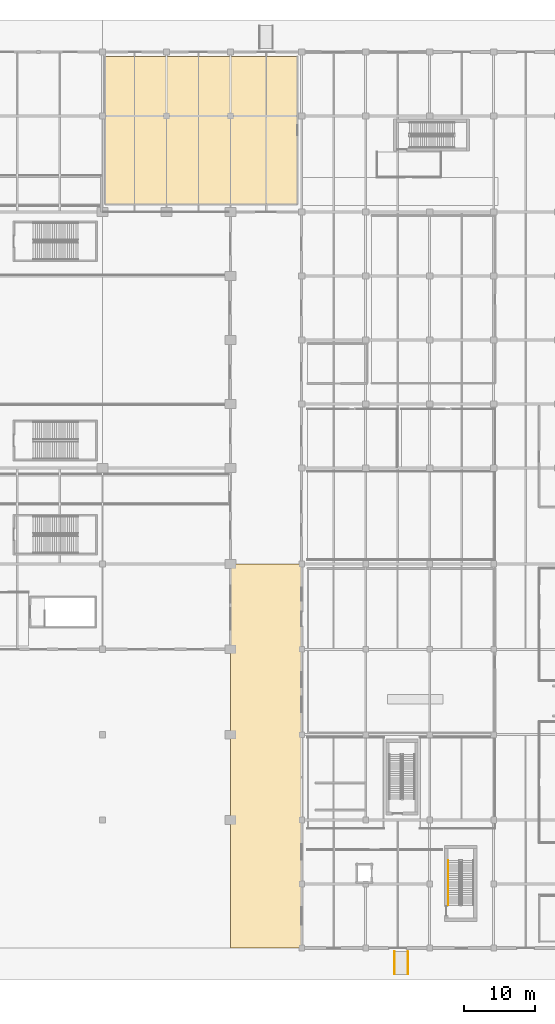
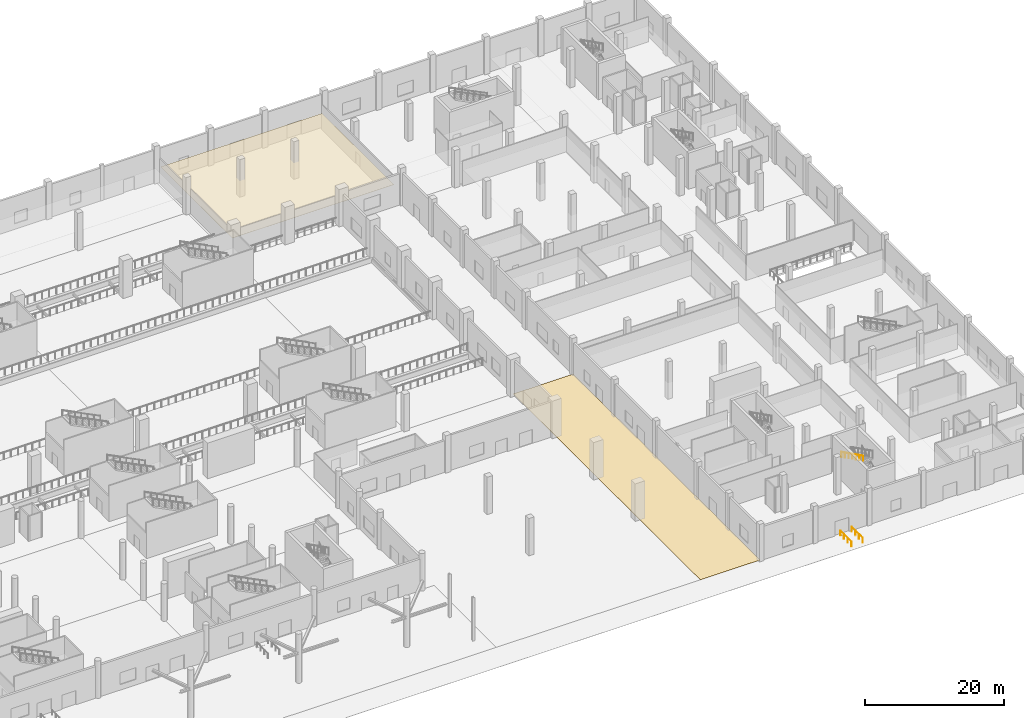
# One storey, part 56 of 65: 3 railings, 2 coverings.
"""IFC4 building model written with IfcOpenShell, lengths in metres."""

import ifcopenshell
import ifcopenshell.guid

model = None  # the IFC model being written
_history = None  # IfcOwnerHistory: only IFC2X3 demands one
_inside = {}  # id of a spatial element -> (the spatial element, [elements in it])
_under = {}  # id of a project, library or spatial element -> (it, [spatial elements below it])
_declared = {}  # id of a project -> (the project, [libraries it declares])
_typed = {}  # id of a type object -> (the type object, [elements of that type])
_made_of = {}  # id of a material, layer set ... -> (it, [elements and type objects made of it])


def new_model(schema):
    """Start an empty IFC model of exactly this schema.

    Asked for "IFC4X3", IfcOpenShell would pick the latest addendum, in which some entities
    have other attributes; the version numbers below select the first issue.
    IFC2X3 requires an IfcOwnerHistory on every rooted entity: one is made here for all.
    """
    global model, _history
    if schema == "IFC4X3":
        model = ifcopenshell.file(schema_version=(4, 3, 0, 0))
    else:
        model = ifcopenshell.file(schema=schema)
    _inside.clear()
    _under.clear()
    _declared.clear()
    _typed.clear()
    _made_of.clear()
    _history = None
    if model.schema == "IFC2X3":
        org = make("IfcOrganization", Name="unknown")
        user = make(
            "IfcPersonAndOrganization",
            ThePerson=make("IfcPerson", FamilyName="unknown"),
            TheOrganization=org,
        )
        app = make(
            "IfcApplication",
            ApplicationDeveloper=org,
            Version="unknown",
            ApplicationFullName="unknown",
            ApplicationIdentifier="unknown",
        )
        _history = make(
            "IfcOwnerHistory",
            OwningUser=user,
            OwningApplication=app,
            ChangeAction="ADDED",
            CreationDate=0,
        )
    return model


def make(cls, **values):
    """One entity of the class cls with the attributes given. An attribute that is None is left unset."""
    return model.create_entity(
        cls, **{name: value for name, value in values.items() if value is not None}
    )


def rooted(cls, **values):
    """An entity with a GlobalId (a new one), such as an element, a storey or a relation."""
    return make(cls, GlobalId=ifcopenshell.guid.new(), OwnerHistory=_history, **values)


def si_unit(unit_type, name, prefix=None):
    """IfcSIUnit, for example si_unit("LENGTHUNIT", "METRE", prefix="MILLI")."""
    return make("IfcSIUnit", UnitType=unit_type, Prefix=prefix, Name=name)


def assignment(units):
    """IfcUnitAssignment: the units of a project."""
    return None if units is None else make("IfcUnitAssignment", Units=units)


def point(xyz):
    """IfcCartesianPoint."""
    return None if xyz is None else make("IfcCartesianPoint", Coordinates=xyz)


def direction(xyz):
    """IfcDirection."""
    return None if xyz is None else make("IfcDirection", DirectionRatios=xyz)


def frame(location, z_axis=None, x_axis=None):
    """IfcAxis2Placement3D, a coordinate frame: its origin and axes. An axis left out is left unset."""
    return make(
        "IfcAxis2Placement3D",
        Location=point(location),
        Axis=direction(z_axis),
        RefDirection=direction(x_axis),
    )


def frame_2d(location, x_axis=None):
    """IfcAxis2Placement2D, a coordinate frame in the plane: its origin and x axis."""
    return make(
        "IfcAxis2Placement2D", Location=point(location), RefDirection=direction(x_axis)
    )


def origin():
    """The frame at (0, 0, 0) with its axes left unset."""
    return frame((0.0, 0.0, 0.0))


def origin_2d():
    """The frame at (0, 0) in the plane with its x axis left unset."""
    return frame_2d((0.0, 0.0))


def place(relative_to, where):
    """IfcLocalPlacement: puts the frame where relative to a parent placement (None: the world)."""
    return make(
        "IfcLocalPlacement", PlacementRelTo=relative_to, RelativePlacement=where
    )


def context(
    kind, dimensions, precision=None, world=None, true_north=None, identifier=None
):
    """IfcGeometricRepresentationContext, for example the 3D "Model" context."""
    return make(
        "IfcGeometricRepresentationContext",
        ContextIdentifier=identifier,
        ContextType=kind,
        CoordinateSpaceDimension=dimensions,
        Precision=precision,
        WorldCoordinateSystem=world,
        TrueNorth=true_north,
    )


def subcontext(parent, identifier, kind, view, scale=None):
    """IfcGeometricRepresentationSubContext, for example "Body" below "Model"."""
    return make(
        "IfcGeometricRepresentationSubContext",
        ContextIdentifier=identifier,
        ContextType=kind,
        ParentContext=parent,
        TargetScale=scale,
        TargetView=view,
    )


def project(units=None, contexts=None):
    """IfcProject with its units and contexts."""
    return rooted(
        "IfcProject",
        Name="project",
        RepresentationContexts=contexts,
        UnitsInContext=assignment(units),
    )


def spatial(cls, under=None, at=None, **own):
    """A site, building, storey or space (cls), placed at a placement, below another one or the project."""
    s = rooted(cls, ObjectPlacement=at, **own)
    if under is not None:
        _under.setdefault(under.id(), (under, []))[1].append(s)
    return s


def polyline(points):
    """IfcPolyline through the points."""
    return make("IfcPolyline", Points=[point(p) for p in points])


def profile(cls, at=None, kind="AREA", **sizes):
    """A parametric profile (cls). Its sizes go by their IFC names, for example OverallWidth=200.0."""
    return make(cls, ProfileType=kind, Position=at, **sizes)


def circle(**sizes):
    """IfcCircleProfileDef."""
    return profile("IfcCircleProfileDef", **sizes)


def outline(outer, holes=None, kind="AREA"):
    """IfcArbitraryClosedProfileDef: a profile drawn as a closed curve; with holes, ...WithVoids."""
    if holes is None:
        return make("IfcArbitraryClosedProfileDef", ProfileType=kind, OuterCurve=outer)
    return make(
        "IfcArbitraryProfileDefWithVoids",
        ProfileType=kind,
        OuterCurve=outer,
        InnerCurves=holes,
    )


def extrude(swept, where, along, depth):
    """IfcExtrudedAreaSolid: the profile swept, set in the frame where, extruded along a direction by depth."""
    return make(
        "IfcExtrudedAreaSolid",
        SweptArea=swept,
        Position=where,
        ExtrudedDirection=direction(along),
        Depth=depth,
    )


def shape(context_of_items, identifier, shape_type, items):
    """IfcShapeRepresentation: the items that make up one representation, for example the "Body"."""
    return make(
        "IfcShapeRepresentation",
        ContextOfItems=context_of_items,
        RepresentationIdentifier=identifier,
        RepresentationType=shape_type,
        Items=items,
    )


def material(Name=None, Category=None):
    """IfcMaterial."""
    return make("IfcMaterial", Name=Name, Category=Category)


def layer(
    of_material, thickness, ventilated=None, Name=None, Category=None, Priority=None
):
    """IfcMaterialLayer: one layer of a wall or slab, of a material (None: an air gap)."""
    return make(
        "IfcMaterialLayer",
        Material=of_material,
        LayerThickness=thickness,
        IsVentilated=ventilated,
        Name=Name,
        Category=Category,
        Priority=Priority,
    )


def layer_set(layers, Name=None):
    """IfcMaterialLayerSet."""
    return make("IfcMaterialLayerSet", MaterialLayers=layers, LayerSetName=Name)


def made_of(thing, what):
    """Note that an element or type object is made of a material, layer set ...; save() writes the relation."""
    if what is not None:
        _made_of.setdefault(what.id(), (what, []))[1].append(thing)
    return thing


def type_object(cls, material=None, **own):
    """A type object (cls), such as IfcWallType, which elements share."""
    return made_of(rooted(cls, **own), material)


def element(
    cls,
    number,
    at=None,
    inside=None,
    cuts=None,
    type_object=None,
    material=None,
    context=None,
    identifier="Body",
    shape_type=None,
    held_by="IfcProductDefinitionShape",
    body=None,
    shapes=None,
    **own,
):
    """One element of the class cls, such as IfcWall. Its Tag is "e" and its number.

    at: its placement. inside: the storey or other place that contains it. cuts: it is an
    opening in that element (IfcRelVoidsElement). A single representation is given by context,
    identifier, shape_type and body (its items); several are given by shapes. held_by: the class
    of the entity that holds the representations. save() writes the other relations.
    """
    e = rooted(cls, Tag="e%d" % number, ObjectPlacement=at, **own)
    if body is not None:
        shapes = [shape(context, identifier, shape_type, body)]
    if shapes is not None:
        e.Representation = make(held_by, Representations=shapes)
    if inside is not None:
        _inside.setdefault(inside.id(), (inside, []))[1].append(e)
    if cuts is not None:
        rooted(
            "IfcRelVoidsElement", RelatingBuildingElement=cuts, RelatedOpeningElement=e
        )
    if type_object is not None:
        _typed.setdefault(type_object.id(), (type_object, []))[1].append(e)
    return made_of(e, material)


def aggregate(whole, parts):
    """IfcRelAggregates: a whole, such as a stair, and the parts it consists of."""
    return rooted("IfcRelAggregates", RelatingObject=whole, RelatedObjects=parts)


def save(model, path):
    """Write the relations noted so far, then the file.

    IfcRelAggregates (storeys below a building ...), IfcRelContainedInSpatialStructure (elements
    in a storey), IfcRelDefinesByType, IfcRelAssociatesMaterial and IfcRelDeclares: one each for
    every whole, place, type object, material and project.
    """
    for whole, parts in _under.values():
        aggregate(whole, parts)
    for where, things in _inside.values():
        rooted(
            "IfcRelContainedInSpatialStructure",
            RelatedElements=things,
            RelatingStructure=where,
        )
    for kind, things in _typed.values():
        rooted("IfcRelDefinesByType", RelatedObjects=things, RelatingType=kind)
    for what, things in _made_of.values():
        rooted("IfcRelAssociatesMaterial", RelatedObjects=things, RelatingMaterial=what)
    for by, libraries in _declared.values():
        rooted("IfcRelDeclares", RelatingContext=by, RelatedDefinitions=libraries)
    model.write(path)


model = new_model("IFC4")

# Units and contexts
model_context = context("Model", 3, precision=1e-05, world=origin(), true_north=direction((0.0, 1.0)))
body_context = subcontext(model_context, "Body", "Model", "MODEL_VIEW")
ifc_project = project(units=[si_unit("LENGTHUNIT", "METRE"), si_unit("AREAUNIT", "SQUARE_METRE"), si_unit("VOLUMEUNIT", "CUBIC_METRE"), si_unit("PLANEANGLEUNIT", "RADIAN"), si_unit("MASSUNIT", "GRAM", prefix="KILO")], contexts=[model_context])

# Site, building, storey
site_placement = place(None, origin())
site = spatial("IfcSite", under=ifc_project, at=site_placement, CompositionType="ELEMENT")
building_placement = place(site_placement, origin())
building = spatial("IfcBuilding", under=site, at=building_placement, Name="Chuanluo Vaults Station", CompositionType="ELEMENT")
storey_placement = place(building_placement, origin())
storey = spatial("IfcBuildingStorey", under=building, at=storey_placement, Name="L00", CompositionType="ELEMENT", Elevation=0.0)

# Coverings
ifc_material_1 = material(Name="Acoustic mineral-fibre tile")
ifc_layer_1 = layer(ifc_material_1, 0.02490234375)
ifc_layer_set_1 = layer_set([ifc_layer_1], Name="Acoustic mineral-fibre tile")
covering_type_1 = type_object("IfcCoveringType", Name="COV-CEIL-TILE", PredefinedType="CEILING", material=ifc_layer_set_1)
covering_1_placement = place(storey_placement, frame((0.0, 0.0, 2.85009765625)))
element("IfcCovering", 1, at=covering_1_placement, inside=storey, type_object=covering_type_1, Name="L00-12 suspended acoustic ceiling", PredefinedType="CEILING", context=body_context, shape_type="SweptSolid", body=[
    extrude(outline(polyline([(108.43994140625, 104.639892578125), (135.360107421875, 104.639892578125), (135.360107421875, 125.360107421875), (108.43994140625, 125.360107421875), (108.43994140625, 104.639892578125)])), origin(), (0.0, 0.0, 1.0), 0.02490234375),
])
ifc_material_2 = material(Name="Granite stone flooring", Category="masonry")
ifc_layer_2 = layer(ifc_material_2, 0.034912109375)
ifc_layer_set_2 = layer_set([ifc_layer_2], Name="Granite stone flooring")
covering_type_2 = type_object("IfcCoveringType", Name="COV-FLOR-GRAN", PredefinedType="FLOORING", material=ifc_layer_set_2)
covering_2_placement = place(storey_placement, frame((0.0, 0.0, -0.0400390625)))
element("IfcCovering", 2, at=covering_2_placement, inside=storey, type_object=covering_type_2, Name="Exterior plaza granite paving PASS1", PredefinedType="FLOORING", context=body_context, shape_type="SweptSolid", body=[
    extrude(outline(polyline([(126.0, 0.0), (136.0, 0.0), (136.0, 54.0), (126.0, 54.0), (126.0, 0.0)])), origin(), (0.0, 0.0, 1.0), 0.0400390625),
])

# Railings
ifc_material_3 = material(Name="Brushed stainless steel 304", Category="steel")
railing_type = type_object("IfcRailingType", Name="RLG-HAND-900", PredefinedType="HANDRAIL", material=ifc_material_3)
for number, where, name in (
    (3, (149.06005859375, -3.699951171875, 0.0), "Accessible ramp handrail RM-A3-W"),
    (4, (150.93994140625, -3.699951171875, 0.0), "Accessible ramp handrail RM-A3-E"),
):
    element("IfcRailing", number, at=place(storey_placement, frame(where)), inside=storey, type_object=railing_type, Name=name, PredefinedType="HANDRAIL", context=body_context, shape_type="SweptSolid", body=[
        extrude(circle(Radius=0.02392578125, at=origin_2d()), frame((0.0, 0.0, 0.8759765625), z_axis=(0.0, 1.0, 0.0), x_axis=(-1.0, 0.0, 0.0)), (0.0, 0.0, 1.0), 3.199951171875),
        extrude(circle(Radius=0.02099609375, at=origin_2d()), origin(), (0.0, 0.0, 1.0), 0.851806640625),
        extrude(circle(Radius=0.02099609375, at=origin_2d()), frame((0.0, 1.066650390625, 0.0)), (0.0, 0.0, 1.0), 0.851806640625),
        extrude(circle(Radius=0.02099609375, at=origin_2d()), frame((0.0, 2.13330078125, 0.0)), (0.0, 0.0, 1.0), 0.851806640625),
        extrude(circle(Radius=0.02099609375, at=origin_2d()), frame((0.0, 3.199951171875, 0.0)), (0.0, 0.0, 1.0), 0.851806640625),
    ])
railing_placement = place(storey_placement, frame((156.617431640625, 12.300048828125, 3.449951171875)))
element("IfcRailing", 5, at=railing_placement, inside=storey, type_object=railing_type, Name="L00 ST-05 stair handrail 2", PredefinedType="HANDRAIL", context=body_context, shape_type="SweptSolid", body=[
    extrude(circle(Radius=0.02392578125, at=origin_2d()), frame((0.0, 0.0, 0.8759765625), z_axis=(0.0, -0.894420258746, 0.44722745974), x_axis=(1.0, 0.0, 0.0)), (0.0, 0.0, 1.0), 7.043701171875),
    extrude(circle(Radius=0.02099609375, at=origin_2d()), origin(), (0.0, 0.0, 1.0), 0.851806640625),
    extrude(circle(Radius=0.02099609375, at=origin_2d()), frame((0.0, -1.050048828125, 0.52490234375)), (0.0, 0.0, 1.0), 0.851806640625),
    extrude(circle(Radius=0.02099609375, at=origin_2d()), frame((0.0, -2.10009765625, 1.050048828125)), (0.0, 0.0, 1.0), 0.851806640625),
    extrude(circle(Radius=0.02099609375, at=origin_2d()), frame((0.0, -3.14990234375, 1.5751953125)), (0.0, 0.0, 1.0), 0.851806640625),
    extrude(circle(Radius=0.02099609375, at=origin_2d()), frame((0.0, -4.199951171875, 2.10009765625)), (0.0, 0.0, 1.0), 0.851806640625),
    extrude(circle(Radius=0.02099609375, at=origin_2d()), frame((0.0, -5.25, 2.625)), (0.0, 0.0, 1.0), 0.851806640625),
    extrude(circle(Radius=0.02099609375, at=origin_2d()), frame((0.0, -6.300048828125, 3.150146484375)), (0.0, 0.0, 1.0), 0.851806640625),
])

save(model, "model.ifc")
